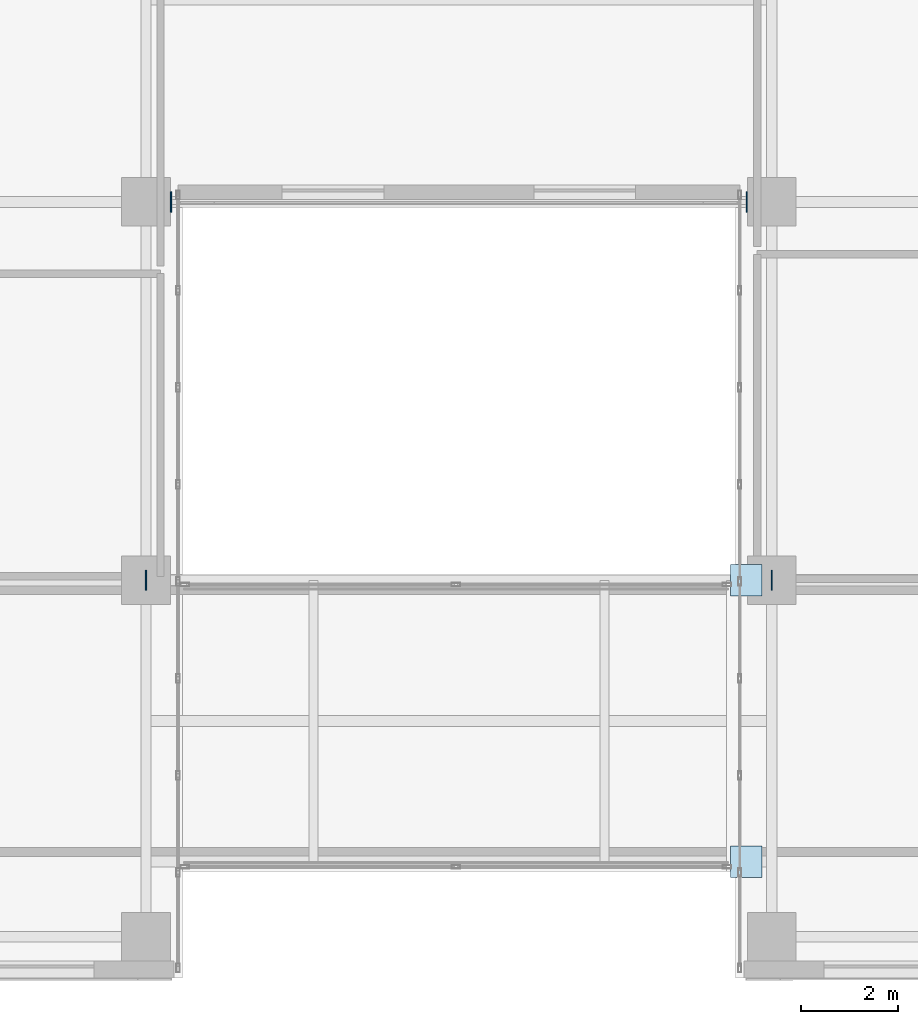
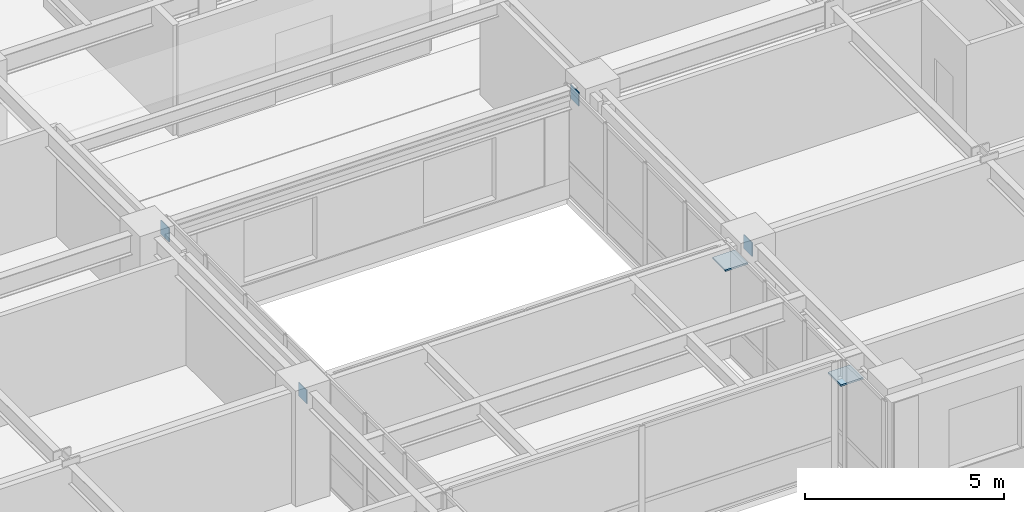
# One storey, part 20 of 31: 6 plates.
"""IFC4 building model written with IfcOpenShell, lengths in metres."""

from ifc_helpers import new_model, si_unit, direction, frame, origin, origin_2d, place, context, subcontext, project, spatial, rectangle, extrude, source, transform, mapped, material, layer, layer_set, type_object, type_shapes, element, save


model = new_model("IFC4")

# Units and contexts
model_context = context("Model", 3, precision=1e-05, world=origin(), true_north=direction((0.0, 1.0)))
body_context = subcontext(model_context, "Body", "Model", "MODEL_VIEW")
ifc_project = project(units=[si_unit("LENGTHUNIT", "METRE"), si_unit("AREAUNIT", "SQUARE_METRE"), si_unit("VOLUMEUNIT", "CUBIC_METRE"), si_unit("PLANEANGLEUNIT", "RADIAN"), si_unit("MASSUNIT", "GRAM", prefix="KILO")], contexts=[model_context])

# Site, building, storey
site_placement = place(None, origin())
site = spatial("IfcSite", under=ifc_project, at=site_placement, CompositionType="ELEMENT")
building_placement = place(site_placement, origin())
building = spatial("IfcBuilding", under=site, at=building_placement, Name="Tolvann Quenvar Hotel", CompositionType="ELEMENT")
storey_placement = place(building_placement, frame((0.0, 0.0, 74.60009765625)))
storey = spatial("IfcBuildingStorey", under=building, at=storey_placement, Name="L18", CompositionType="ELEMENT", Elevation=74.60009765625)

# Plates
ifc_material = material(Name="Steel Grade 350", Category="steel")
ifc_layer_1 = layer(ifc_material, 0.050048828125)
ifc_layer_set_1 = layer_set([ifc_layer_1], Name="Steel Grade 350")
plate_type_1 = type_object("IfcPlateType", Name="PLT_BASE_50", PredefinedType="SHEET", material=ifc_layer_set_1)
shared_shape_1 = source(origin(), body_context, "Body", "SweptSolid", [
    extrude(rectangle(XDim=0.64990234375, YDim=0.64990234375, at=origin_2d()), origin(), (0.0, 0.0, 1.0), 0.050048828125),
])
type_shapes(plate_type_1, [shared_shape_1])
for number, where, z_axis, x_axis, name in (
    (1, (34.425048828125, 2.39990234375, 2.7080078125), (0.0, 0.0, 1.0), (1.0, 0.0, 0.0), "Skybridge PTFE Sliding Bearing Seat Plate 650mm (L19-S)"),
    (2, (34.425048828125, 8.199951171875, 2.7080078125), (0.0, 0.0, 1.0), (1.0, 0.0, 0.0), "Skybridge PTFE Sliding Bearing Seat Plate 650mm (L19-N)"),
):
    element("IfcPlate", number, at=place(storey_placement, frame(where, z_axis=z_axis, x_axis=x_axis)), inside=storey, type_object=plate_type_1, Name=name, PredefinedType="SHEET", context=body_context, shape_type="MappedRepresentation", body=[
        mapped(shared_shape_1, transform((0.0, 0.0, 0.0), x_axis=(1.0, 0.0, 0.0), y_axis=(0.0, 1.0, 0.0), z_axis=(0.0, 0.0, 1.0), scale=1.0)),
    ])
ifc_layer_2 = layer(ifc_material, 0.02490234375)
ifc_layer_set_2 = layer_set([ifc_layer_2], Name="Steel Grade 350")
plate_type_2 = type_object("IfcPlateType", Name="PLT_ENDCAP_25", PredefinedType="SHEET", material=ifc_layer_set_2)
shared_shape_2 = source(origin(), body_context, "Body", "SweptSolid", [
    extrude(rectangle(XDim=0.02490234375, YDim=0.419921875, at=origin_2d()), origin(), (0.0, 0.0, 1.0), 0.419921875),
])
type_shapes(plate_type_2, [shared_shape_2])
for number, where, z_axis, x_axis, name in (
    (3, (22.050048828125, 8.199951171875, 2.81005859375), (0.0, 0.0, 1.0), (1.0, 0.0, 0.0), "Skybridge Tie End Plate EC-1 (L18-1)"),
    (4, (22.56494140625, 16.0, 2.85986328125), (0.0, 0.0, 1.0), (1.0, 0.0, 0.0), "Atrium Girt End Plate EC-1 (L18-1)"),
    (5, (34.949951171875, 8.199951171875, 2.81005859375), (0.0, 0.0, 1.0), (1.0, 0.0, 0.0), "Skybridge Tie End Plate EC-1 (L18-2)"),
    (6, (34.43505859375, 16.0, 2.85986328125), (0.0, 0.0, 1.0), (1.0, 0.0, 0.0), "Atrium Girt End Plate EC-1 (L18-2)"),
):
    element("IfcPlate", number, at=place(storey_placement, frame(where, z_axis=z_axis, x_axis=x_axis)), inside=storey, type_object=plate_type_2, Name=name, PredefinedType="SHEET", context=body_context, shape_type="MappedRepresentation", body=[
        mapped(shared_shape_2, transform((0.0, 0.0, 0.0), x_axis=(1.0, 0.0, 0.0), y_axis=(0.0, 1.0, 0.0), z_axis=(0.0, 0.0, 1.0), scale=1.0)),
    ])

save(model, "model.ifc")
